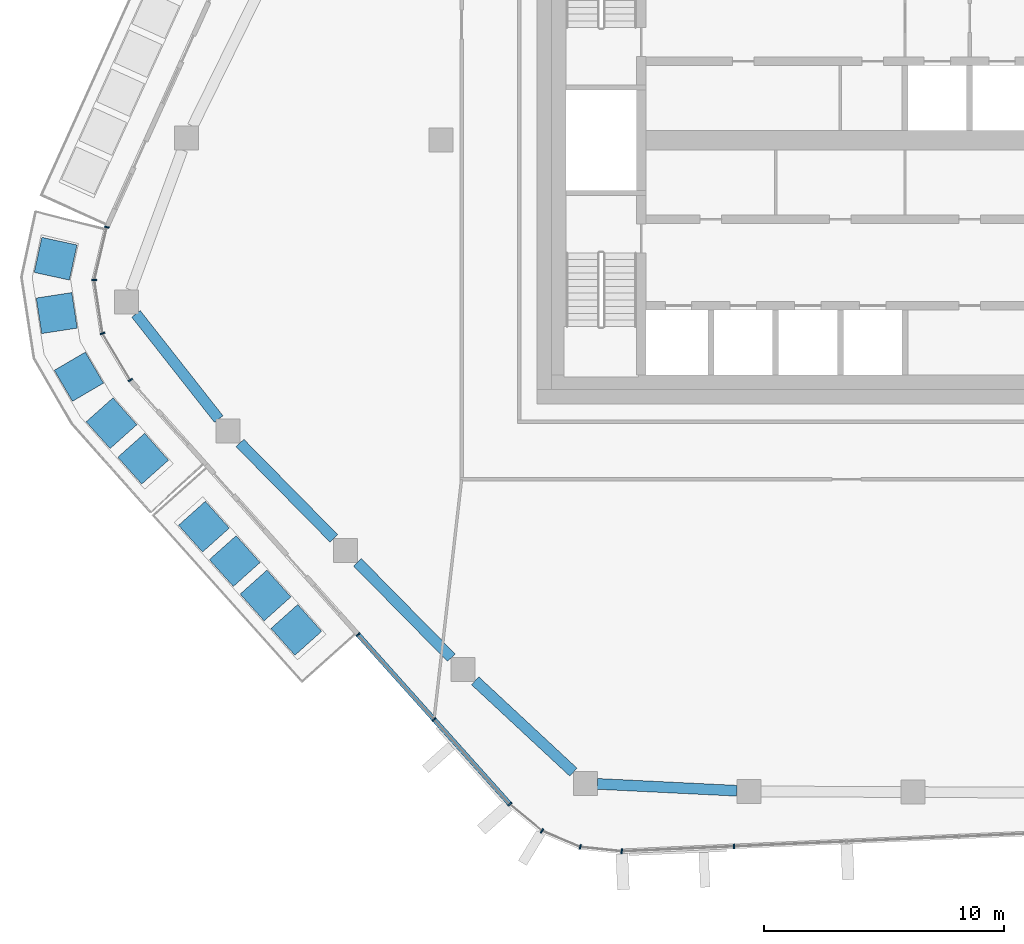
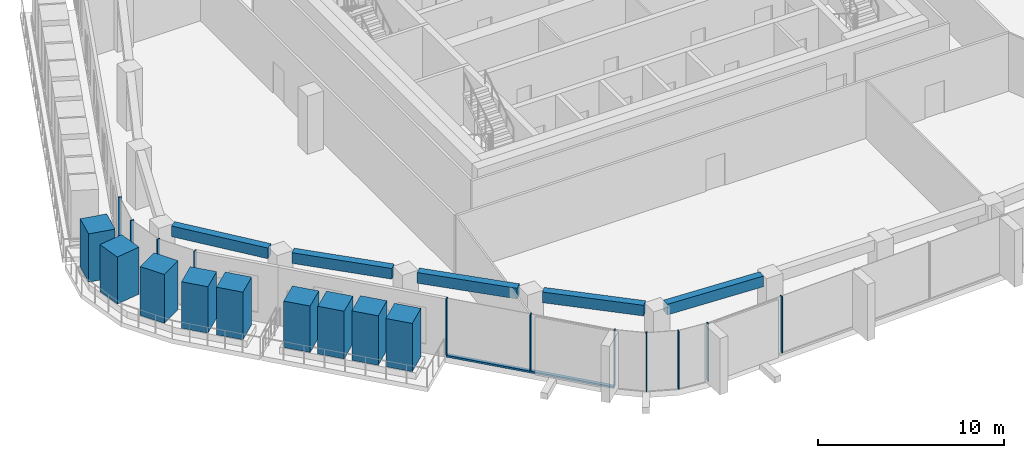
# One storey, part 2 of 23: 21 members, 5 beams, 4 elements without a shape of their own.
"""IFC4 building model written with IfcOpenShell, lengths in metres."""

import ifcopenshell
import ifcopenshell.guid

model = None  # the IFC model being written
_history = None  # IfcOwnerHistory: only IFC2X3 demands one
_inside = {}  # id of a spatial element -> (the spatial element, [elements in it])
_under = {}  # id of a project, library or spatial element -> (it, [spatial elements below it])
_declared = {}  # id of a project -> (the project, [libraries it declares])
_typed = {}  # id of a type object -> (the type object, [elements of that type])
_made_of = {}  # id of a material, layer set ... -> (it, [elements and type objects made of it])


def new_model(schema):
    """Start an empty IFC model of exactly this schema.

    Asked for "IFC4X3", IfcOpenShell would pick the latest addendum, in which some entities
    have other attributes; the version numbers below select the first issue.
    IFC2X3 requires an IfcOwnerHistory on every rooted entity: one is made here for all.
    """
    global model, _history
    if schema == "IFC4X3":
        model = ifcopenshell.file(schema_version=(4, 3, 0, 0))
    else:
        model = ifcopenshell.file(schema=schema)
    _inside.clear()
    _under.clear()
    _declared.clear()
    _typed.clear()
    _made_of.clear()
    _history = None
    if model.schema == "IFC2X3":
        org = make("IfcOrganization", Name="unknown")
        user = make(
            "IfcPersonAndOrganization",
            ThePerson=make("IfcPerson", FamilyName="unknown"),
            TheOrganization=org,
        )
        app = make(
            "IfcApplication",
            ApplicationDeveloper=org,
            Version="unknown",
            ApplicationFullName="unknown",
            ApplicationIdentifier="unknown",
        )
        _history = make(
            "IfcOwnerHistory",
            OwningUser=user,
            OwningApplication=app,
            ChangeAction="ADDED",
            CreationDate=0,
        )
    return model


def make(cls, **values):
    """One entity of the class cls with the attributes given. An attribute that is None is left unset."""
    return model.create_entity(
        cls, **{name: value for name, value in values.items() if value is not None}
    )


def rooted(cls, **values):
    """An entity with a GlobalId (a new one), such as an element, a storey or a relation."""
    return make(cls, GlobalId=ifcopenshell.guid.new(), OwnerHistory=_history, **values)


def si_unit(unit_type, name, prefix=None):
    """IfcSIUnit, for example si_unit("LENGTHUNIT", "METRE", prefix="MILLI")."""
    return make("IfcSIUnit", UnitType=unit_type, Prefix=prefix, Name=name)


def assignment(units):
    """IfcUnitAssignment: the units of a project."""
    return None if units is None else make("IfcUnitAssignment", Units=units)


def point(xyz):
    """IfcCartesianPoint."""
    return None if xyz is None else make("IfcCartesianPoint", Coordinates=xyz)


def direction(xyz):
    """IfcDirection."""
    return None if xyz is None else make("IfcDirection", DirectionRatios=xyz)


def frame(location, z_axis=None, x_axis=None):
    """IfcAxis2Placement3D, a coordinate frame: its origin and axes. An axis left out is left unset."""
    return make(
        "IfcAxis2Placement3D",
        Location=point(location),
        Axis=direction(z_axis),
        RefDirection=direction(x_axis),
    )


def frame_2d(location, x_axis=None):
    """IfcAxis2Placement2D, a coordinate frame in the plane: its origin and x axis."""
    return make(
        "IfcAxis2Placement2D", Location=point(location), RefDirection=direction(x_axis)
    )


def origin():
    """The frame at (0, 0, 0) with its axes left unset."""
    return frame((0.0, 0.0, 0.0))


def origin_2d():
    """The frame at (0, 0) in the plane with its x axis left unset."""
    return frame_2d((0.0, 0.0))


def place(relative_to, where):
    """IfcLocalPlacement: puts the frame where relative to a parent placement (None: the world)."""
    return make(
        "IfcLocalPlacement", PlacementRelTo=relative_to, RelativePlacement=where
    )


def context(
    kind, dimensions, precision=None, world=None, true_north=None, identifier=None
):
    """IfcGeometricRepresentationContext, for example the 3D "Model" context."""
    return make(
        "IfcGeometricRepresentationContext",
        ContextIdentifier=identifier,
        ContextType=kind,
        CoordinateSpaceDimension=dimensions,
        Precision=precision,
        WorldCoordinateSystem=world,
        TrueNorth=true_north,
    )


def subcontext(parent, identifier, kind, view, scale=None):
    """IfcGeometricRepresentationSubContext, for example "Body" below "Model"."""
    return make(
        "IfcGeometricRepresentationSubContext",
        ContextIdentifier=identifier,
        ContextType=kind,
        ParentContext=parent,
        TargetScale=scale,
        TargetView=view,
    )


def project(units=None, contexts=None):
    """IfcProject with its units and contexts."""
    return rooted(
        "IfcProject",
        Name="project",
        RepresentationContexts=contexts,
        UnitsInContext=assignment(units),
    )


def spatial(cls, under=None, at=None, **own):
    """A site, building, storey or space (cls), placed at a placement, below another one or the project."""
    s = rooted(cls, ObjectPlacement=at, **own)
    if under is not None:
        _under.setdefault(under.id(), (under, []))[1].append(s)
    return s


def profile(cls, at=None, kind="AREA", **sizes):
    """A parametric profile (cls). Its sizes go by their IFC names, for example OverallWidth=200.0."""
    return make(cls, ProfileType=kind, Position=at, **sizes)


def rectangle(**sizes):
    """IfcRectangleProfileDef."""
    return profile("IfcRectangleProfileDef", **sizes)


def extrude(swept, where, along, depth):
    """IfcExtrudedAreaSolid: the profile swept, set in the frame where, extruded along a direction by depth."""
    return make(
        "IfcExtrudedAreaSolid",
        SweptArea=swept,
        Position=where,
        ExtrudedDirection=direction(along),
        Depth=depth,
    )


def shape(context_of_items, identifier, shape_type, items):
    """IfcShapeRepresentation: the items that make up one representation, for example the "Body"."""
    return make(
        "IfcShapeRepresentation",
        ContextOfItems=context_of_items,
        RepresentationIdentifier=identifier,
        RepresentationType=shape_type,
        Items=items,
    )


def material(Name=None, Category=None):
    """IfcMaterial."""
    return make("IfcMaterial", Name=Name, Category=Category)


def layer(
    of_material, thickness, ventilated=None, Name=None, Category=None, Priority=None
):
    """IfcMaterialLayer: one layer of a wall or slab, of a material (None: an air gap)."""
    return make(
        "IfcMaterialLayer",
        Material=of_material,
        LayerThickness=thickness,
        IsVentilated=ventilated,
        Name=Name,
        Category=Category,
        Priority=Priority,
    )


def layer_set(layers, Name=None):
    """IfcMaterialLayerSet."""
    return make("IfcMaterialLayerSet", MaterialLayers=layers, LayerSetName=Name)


def material_profile(
    of_material, cross_section, Name=None, Category=None, Priority=None
):
    """IfcMaterialProfile: a cross section and its material."""
    return make(
        "IfcMaterialProfile",
        Name=Name,
        Material=of_material,
        Profile=cross_section,
        Priority=Priority,
        Category=Category,
    )


def profile_set(profiles, Name=None, composite=None):
    """IfcMaterialProfileSet."""
    return make(
        "IfcMaterialProfileSet",
        Name=Name,
        MaterialProfiles=profiles,
        CompositeProfile=composite,
    )


def made_of(thing, what):
    """Note that an element or type object is made of a material, layer set ...; save() writes the relation."""
    if what is not None:
        _made_of.setdefault(what.id(), (what, []))[1].append(thing)
    return thing


def type_object(cls, material=None, **own):
    """A type object (cls), such as IfcWallType, which elements share."""
    return made_of(rooted(cls, **own), material)


def element(
    cls,
    number,
    at=None,
    inside=None,
    cuts=None,
    type_object=None,
    material=None,
    context=None,
    identifier="Body",
    shape_type=None,
    held_by="IfcProductDefinitionShape",
    body=None,
    shapes=None,
    **own,
):
    """One element of the class cls, such as IfcWall. Its Tag is "e" and its number.

    at: its placement. inside: the storey or other place that contains it. cuts: it is an
    opening in that element (IfcRelVoidsElement). A single representation is given by context,
    identifier, shape_type and body (its items); several are given by shapes. held_by: the class
    of the entity that holds the representations. save() writes the other relations.
    """
    e = rooted(cls, Tag="e%d" % number, ObjectPlacement=at, **own)
    if body is not None:
        shapes = [shape(context, identifier, shape_type, body)]
    if shapes is not None:
        e.Representation = make(held_by, Representations=shapes)
    if inside is not None:
        _inside.setdefault(inside.id(), (inside, []))[1].append(e)
    if cuts is not None:
        rooted(
            "IfcRelVoidsElement", RelatingBuildingElement=cuts, RelatedOpeningElement=e
        )
    if type_object is not None:
        _typed.setdefault(type_object.id(), (type_object, []))[1].append(e)
    return made_of(e, material)


def aggregate(whole, parts):
    """IfcRelAggregates: a whole, such as a stair, and the parts it consists of."""
    return rooted("IfcRelAggregates", RelatingObject=whole, RelatedObjects=parts)


def save(model, path):
    """Write the relations noted so far, then the file.

    IfcRelAggregates (storeys below a building ...), IfcRelContainedInSpatialStructure (elements
    in a storey), IfcRelDefinesByType, IfcRelAssociatesMaterial and IfcRelDeclares: one each for
    every whole, place, type object, material and project.
    """
    for whole, parts in _under.values():
        aggregate(whole, parts)
    for where, things in _inside.values():
        rooted(
            "IfcRelContainedInSpatialStructure",
            RelatedElements=things,
            RelatingStructure=where,
        )
    for kind, things in _typed.values():
        rooted("IfcRelDefinesByType", RelatedObjects=things, RelatingType=kind)
    for what, things in _made_of.values():
        rooted("IfcRelAssociatesMaterial", RelatedObjects=things, RelatingMaterial=what)
    for by, libraries in _declared.values():
        rooted("IfcRelDeclares", RelatingContext=by, RelatedDefinitions=libraries)
    model.write(path)


model = new_model("IFC4")

# Units and contexts
model_context = context("Model", 3, precision=1e-05, world=origin(), true_north=direction((0.0, 1.0)))
body_context = subcontext(model_context, "Body", "Model", "MODEL_VIEW")
ifc_project = project(units=[si_unit("LENGTHUNIT", "METRE"), si_unit("AREAUNIT", "SQUARE_METRE"), si_unit("VOLUMEUNIT", "CUBIC_METRE"), si_unit("PLANEANGLEUNIT", "RADIAN"), si_unit("MASSUNIT", "GRAM", prefix="KILO")], contexts=[model_context])

# Site, building, storey
site_placement = place(None, origin())
site = spatial("IfcSite", under=ifc_project, at=site_placement, CompositionType="ELEMENT")
building_placement = place(site_placement, origin())
building = spatial("IfcBuilding", under=site, at=building_placement, Name="Dongbaek Canopy Tower", CompositionType="ELEMENT")
storey_placement = place(building_placement, frame((0.0, 0.0, 323.60009765625)))
storey = spatial("IfcBuildingStorey", under=building, at=storey_placement, Name="L69", CompositionType="ELEMENT", Elevation=323.60009765625)

# Curtain wall, members
ifc_material_1 = material(Name="Aluminium 6063-T6 pale anodised", Category="aluminium")
ifc_layer = layer(ifc_material_1, 0.199951171875)
ifc_layer_set = layer_set([ifc_layer], Name="CW-1 unitised tower curtain wall")
curtain_wall_type = type_object("IfcCurtainWallType", Name="CW-1 unitised tower curtain wall", PredefinedType="NOTDEFINED", material=ifc_layer_set)
curtain_wall_1_placement = place(storey_placement, origin())
curtain_wall_1 = element("IfcCurtainWall", 1, at=curtain_wall_1_placement, inside=storey, type_object=curtain_wall_type, Name="CW-1 curtain wall K3.1", PredefinedType="NOTDEFINED")
ifc_material_2 = material(Name="Aluminium 6063-T6 pale anodised", Category="aluminium")
ifc_material_profile_1 = material_profile(ifc_material_2, rectangle(XDim=0.199951171875, YDim=0.06005859375, at=origin_2d()), Name="CW-1 mullion 60 x 200")
ifc_profile_set_1 = profile_set([ifc_material_profile_1], Name="Aluminium 6063-T6 pale anodised")
member_type_1 = type_object("IfcMemberType", Name="CW-1 mullion 60 x 200", PredefinedType="MULLION", material=ifc_profile_set_1)
member_1_placement = place(storey_placement, frame((-31.9521484375, -3.625244140625, 0.0), z_axis=(0.0, 0.0, 1.0), x_axis=(-0.973135778098, 0.2302319643, 0.0)))
member_1 = element("IfcMember", 2, at=member_1_placement, type_object=member_type_1, Name="CW-1 mullion K3.1.1", PredefinedType="MULLION", context=body_context, shape_type="SweptSolid", body=[
    extrude(rectangle(XDim=0.199951171875, YDim=0.06005859375, at=origin_2d()), origin(), (0.0, 0.0, 1.0), 3.81982421875),
])
member_2_placement = place(storey_placement, frame((-32.473876953125, -5.83056640625, 0.0), z_axis=(0.0, 0.0, 1.0), x_axis=(-0.999206093675, 0.039839457356, 0.0)))
member_2 = element("IfcMember", 3, at=member_2_placement, type_object=member_type_1, Name="CW-1 mullion K3.1.2", PredefinedType="MULLION", context=body_context, shape_type="SweptSolid", body=[
    extrude(rectangle(XDim=0.199951171875, YDim=0.06005859375, at=origin_2d()), origin(), (0.0, 0.0, 1.0), 3.81982421875),
])
member_3_placement = place(storey_placement, frame((-32.130859375, -8.060791015625, 0.0), z_axis=(0.0, 0.0, 1.0), x_axis=(-0.941047691225, -0.338273916878, 0.0)))
member_3 = element("IfcMember", 4, at=member_3_placement, type_object=member_type_1, Name="CW-1 mullion K3.1.3", PredefinedType="MULLION", context=body_context, shape_type="SweptSolid", body=[
    extrude(rectangle(XDim=0.199951171875, YDim=0.06005859375, at=origin_2d()), origin(), (0.0, 0.0, 1.0), 3.81982421875),
])
member_4_placement = place(storey_placement, frame((-30.970458984375, -10.00732421875, 0.0), z_axis=(0.0, 0.0, 1.0), x_axis=(-0.858966702987, -0.512031447433, 0.0)))
member_4 = element("IfcMember", 5, at=member_4_placement, type_object=member_type_1, Name="CW-1 mullion K3.1.4", PredefinedType="MULLION", context=body_context, shape_type="SweptSolid", body=[
    extrude(rectangle(XDim=0.199951171875, YDim=0.06005859375, at=origin_2d()), origin(), (0.0, 0.0, 1.0), 3.81982421875),
])
aggregate(curtain_wall_1, [member_1, member_2, member_3, member_4])

curtain_wall_2_placement = place(storey_placement, origin())
curtain_wall_2 = element("IfcCurtainWall", 6, at=curtain_wall_2_placement, inside=storey, type_object=curtain_wall_type, Name="CW-1 curtain wall F3.1", PredefinedType="NOTDEFINED")
member_5_placement = place(storey_placement, frame((-21.468017578125, -20.625244140625, 0.119873046875), z_axis=(0.0, 0.0, 1.0), x_axis=(-0.745164960814, -0.666880185022, 0.0)))
member_5 = element("IfcMember", 7, at=member_5_placement, type_object=member_type_1, Name="CW-1 mullion F3.1.1", PredefinedType="MULLION", context=body_context, shape_type="SweptSolid", body=[
    extrude(rectangle(XDim=0.199951171875, YDim=0.06005859375, at=origin_2d()), origin(), (0.0, 0.0, 1.0), 3.699951171875),
])
member_6_placement = place(storey_placement, frame((-18.29833984375, -24.1669921875, 0.119873046875), z_axis=(0.0, 0.0, 1.0), x_axis=(-0.745164960814, -0.666880185022, 0.0)))
member_6 = element("IfcMember", 8, at=member_6_placement, type_object=member_type_1, Name="CW-1 mullion F3.1.2", PredefinedType="MULLION", context=body_context, shape_type="SweptSolid", body=[
    extrude(rectangle(XDim=0.199951171875, YDim=0.06005859375, at=origin_2d()), origin(), (0.0, 0.0, 1.0), 3.699951171875),
])
member_7_placement = place(storey_placement, frame((-15.1337890625, -27.703125, 0.119873046875), z_axis=(0.0, 0.0, 1.0), x_axis=(-0.745164960814, -0.666880185022, 0.0)))
member_7 = element("IfcMember", 9, at=member_7_placement, type_object=member_type_1, Name="CW-1 mullion F3.1.3", PredefinedType="MULLION", context=body_context, shape_type="SweptSolid", body=[
    extrude(rectangle(XDim=0.199951171875, YDim=0.06005859375, at=origin_2d()), origin(), (0.0, 0.0, 1.0), 3.699951171875),
])

curtain_wall_3_placement = place(storey_placement, origin())
curtain_wall_3 = element("IfcCurtainWall", 10, at=curtain_wall_3_placement, inside=storey, type_object=curtain_wall_type, Name="CW-1 curtain wall K4.1", PredefinedType="NOTDEFINED")
member_8_placement = place(storey_placement, frame((-13.79541015625, -28.8154296875, 0.0), z_axis=(0.0, 0.0, 1.0), x_axis=(-0.519266943257, -0.854612100102, 0.0)))
member_8 = element("IfcMember", 11, at=member_8_placement, type_object=member_type_1, Name="CW-1 mullion K4.1.2", PredefinedType="MULLION", context=body_context, shape_type="SweptSolid", body=[
    extrude(rectangle(XDim=0.199951171875, YDim=0.06005859375, at=origin_2d()), origin(), (0.0, 0.0, 1.0), 3.81982421875),
])
member_9_placement = place(storey_placement, frame((-12.198486328125, -29.48779296875, 0.0), z_axis=(0.0, 0.0, 1.0), x_axis=(-0.248570111979, -0.968613906276, 0.0)))
member_9 = element("IfcMember", 12, at=member_9_placement, type_object=member_type_1, Name="CW-1 mullion K4.1.3", PredefinedType="MULLION", context=body_context, shape_type="SweptSolid", body=[
    extrude(rectangle(XDim=0.199951171875, YDim=0.06005859375, at=origin_2d()), origin(), (0.0, 0.0, 1.0), 3.81982421875),
])
member_10_placement = place(storey_placement, frame((-10.4677734375, -29.668212890625, 0.0), z_axis=(0.0, 0.0, 1.0), x_axis=(-0.103622803641, -0.994616667146, 0.0)))
member_10 = element("IfcMember", 13, at=member_10_placement, type_object=member_type_1, Name="CW-1 mullion K4.1.4", PredefinedType="MULLION", context=body_context, shape_type="SweptSolid", body=[
    extrude(rectangle(XDim=0.199951171875, YDim=0.06005859375, at=origin_2d()), origin(), (0.0, 0.0, 1.0), 3.81982421875),
])
aggregate(curtain_wall_3, [member_8, member_9, member_10])

# Curtain wall, member
curtain_wall_4_placement = place(storey_placement, origin())
curtain_wall_4 = element("IfcCurtainWall", 14, at=curtain_wall_4_placement, inside=storey, type_object=curtain_wall_type, Name="CW-1 curtain wall F4.1", PredefinedType="NOTDEFINED")
member_11_placement = place(storey_placement, frame((-5.780517578125, -29.4638671875, 0.119873046875), z_axis=(0.0, 0.0, 1.0), x_axis=(0.04357165489, -0.999050304484, 0.0)))
member_11 = element("IfcMember", 15, at=member_11_placement, type_object=member_type_1, Name="CW-1 mullion F4.1.2", PredefinedType="MULLION", context=body_context, shape_type="SweptSolid", body=[
    extrude(rectangle(XDim=0.199951171875, YDim=0.06005859375, at=origin_2d()), origin(), (0.0, 0.0, 1.0), 3.699951171875),
])
aggregate(curtain_wall_4, [member_11])

# Member
ifc_material_3 = material(Name="Aluminium 6063-T6 pale anodised", Category="aluminium")
ifc_material_profile_2 = material_profile(ifc_material_3, rectangle(XDim=0.199951171875, YDim=0.1201171875, at=origin_2d()), Name="CW-1 transom 120 x 200")
ifc_profile_set_2 = profile_set([ifc_material_profile_2], Name="Aluminium 6063-T6 pale anodised")
member_type_2 = type_object("IfcMemberType", Name="CW-1 transom 120 x 200", PredefinedType="USERDEFINED", material=ifc_profile_set_2)
member_12_placement = place(storey_placement, frame((-21.468017578125, -20.625244140625, 0.059814453125), z_axis=(0.66687599933, -0.745168706748, 0.0), x_axis=(0.745168706748, 0.66687599933, 0.0)))
member_12 = element("IfcMember", 16, at=member_12_placement, type_object=member_type_2, Name="CW-1 transom F3.1.1", ObjectType="TRANSOM", PredefinedType="USERDEFINED", context=body_context, shape_type="SweptSolid", body=[
    extrude(rectangle(XDim=0.199951171875, YDim=0.1201171875, at=origin_2d()), origin(), (0.0, 0.0, 1.0), 9.498291015625),
])

aggregate(curtain_wall_2, [member_5, member_6, member_7, member_12])

# Beams
ifc_material_4 = material(Name="Concrete C60", Category="concrete")
ifc_material_profile_3 = material_profile(ifc_material_4, rectangle(XDim=0.449951171875, YDim=0.699951171875, at=origin_2d()), Name="RC EDGE BEAM 450x700 C60")
ifc_profile_set_3 = profile_set([ifc_material_profile_3], Name="Concrete C60")
beam_type = type_object("IfcBeamType", Name="RC EDGE BEAM 450x700 C60", PredefinedType="BEAM", material=ifc_profile_set_3)
beam_1_placement = place(storey_placement, frame((-5.666015625, -27.142333984375, 3.469970703125), z_axis=(-0.998789160621, 0.049195656579, 0.0), x_axis=(-0.049195656579, -0.998789160621, 0.0)))
element("IfcBeam", 17, at=beam_1_placement, inside=storey, type_object=beam_type, Name="EDGEBEAM:L69:03", PredefinedType="BEAM", context=body_context, shape_type="SweptSolid", body=[
    extrude(rectangle(XDim=0.449951171875, YDim=0.699951171875, at=origin_2d()), origin(), (0.0, 0.0, 1.0), 5.826171875),
])
beam_2_placement = place(storey_placement, frame((-12.485107421875, -26.365966796875, 3.469970703125), z_axis=(-0.732266655485, 0.681018021248, 0.0), x_axis=(-0.681018021248, -0.732266655485, 0.0)))
element("IfcBeam", 18, at=beam_2_placement, inside=storey, type_object=beam_type, Name="EDGEBEAM:L69:04", PredefinedType="BEAM", context=body_context, shape_type="SweptSolid", body=[
    extrude(rectangle(XDim=0.449951171875, YDim=0.699951171875, at=origin_2d()), origin(), (0.0, 0.0, 1.0), 5.597412109375),
])
beam_3_placement = place(storey_placement, frame((-17.576416015625, -21.589111328125, 3.469970703125), z_axis=(-0.701706740597, 0.712465894062, 0.0), x_axis=(-0.712465894062, -0.701706740597, 0.0)))
element("IfcBeam", 19, at=beam_3_placement, inside=storey, type_object=beam_type, Name="EDGEBEAM:L69:05", PredefinedType="BEAM", context=body_context, shape_type="SweptSolid", body=[
    extrude(rectangle(XDim=0.449951171875, YDim=0.699951171875, at=origin_2d()), origin(), (0.0, 0.0, 1.0), 5.58203125),
])
beam_4_placement = place(storey_placement, frame((-22.478515625, -16.612060546875, 3.469970703125), z_axis=(-0.701708081315, 0.712464573588, 0.0), x_axis=(-0.712464573588, -0.701708081315, 0.0)))
element("IfcBeam", 20, at=beam_4_placement, inside=storey, type_object=beam_type, Name="EDGEBEAM:L69:06", PredefinedType="BEAM", context=body_context, shape_type="SweptSolid", body=[
    extrude(rectangle(XDim=0.449951171875, YDim=0.699951171875, at=origin_2d()), origin(), (0.0, 0.0, 1.0), 5.58349609375),
])
beam_5_placement = place(storey_placement, frame((-27.282470703125, -11.634033203125, 3.469970703125), z_axis=(-0.618340786972, 0.78591009102, 0.0), x_axis=(-0.78591009102, -0.618340786972, 0.0)))
element("IfcBeam", 21, at=beam_5_placement, inside=storey, type_object=beam_type, Name="EDGEBEAM:L69:07", PredefinedType="BEAM", context=body_context, shape_type="SweptSolid", body=[
    extrude(rectangle(XDim=0.449951171875, YDim=0.699951171875, at=origin_2d()), origin(), (0.0, 0.0, 1.0), 5.58447265625),
])

# Members
ifc_material_5 = material(Name="Concrete C40/50 planter mass with planting", Category="concrete")
ifc_material_profile_4 = material_profile(ifc_material_5, rectangle(XDim=1.5, YDim=1.5, at=origin_2d()), Name="Terrace PLANTER shrub mass 1500 x 1500")
ifc_profile_set_4 = profile_set([ifc_material_profile_4], Name="Concrete C40/50 planter mass with planting")
member_type_3 = type_object("IfcMemberType", Name="Terrace PLANTER shrub mass 1500 x 1500", PredefinedType="USERDEFINED", material=ifc_profile_set_4)
member_13_placement = place(storey_placement, frame((-27.8984375, -16.1240234375, 0.419921875), z_axis=(0.0, 0.0, 1.0), x_axis=(-0.745164960814, -0.666880185022, 0.0)))
element("IfcMember", 22, at=member_13_placement, inside=storey, type_object=member_type_3, Name="Planter shrubs L69 3.1", ObjectType="PLANTER", PredefinedType="USERDEFINED", context=body_context, shape_type="SweptSolid", body=[
    extrude(rectangle(XDim=1.5, YDim=1.5, at=origin_2d()), origin(), (0.0, 0.0, 1.0), 3.050048828125),
])
member_14_placement = place(storey_placement, frame((-26.61376953125, -17.5595703125, 0.419921875), z_axis=(0.0, 0.0, 1.0), x_axis=(-0.745164960814, -0.666880185022, 0.0)))
element("IfcMember", 23, at=member_14_placement, inside=storey, type_object=member_type_3, Name="Planter shrubs L69 3.2", ObjectType="PLANTER", PredefinedType="USERDEFINED", context=body_context, shape_type="SweptSolid", body=[
    extrude(rectangle(XDim=1.5, YDim=1.5, at=origin_2d()), origin(), (0.0, 0.0, 1.0), 3.1298828125),
])
member_15_placement = place(storey_placement, frame((-25.3291015625, -18.9951171875, 0.419921875), z_axis=(0.0, 0.0, 1.0), x_axis=(-0.745164960814, -0.666880185022, 0.0)))
element("IfcMember", 24, at=member_15_placement, inside=storey, type_object=member_type_3, Name="Planter shrubs L69 3.3", ObjectType="PLANTER", PredefinedType="USERDEFINED", context=body_context, shape_type="SweptSolid", body=[
    extrude(rectangle(XDim=1.5, YDim=1.5, at=origin_2d()), origin(), (0.0, 0.0, 1.0), 3.25),
])
for number, where, z_axis, x_axis, name in (
    (25, (-24.04443359375, -20.4306640625, 0.419921875), (0.0, 0.0, 1.0), (-0.745164960814, -0.666880185022, 0.0), "Planter shrubs L69 3.4"),
    (26, (-34.08740234375, -4.94384765625, 0.419921875), (0.0, 0.0, 1.0), (-0.977270479561, 0.211996249443, 0.0), "Planter shrubs L69 6.1"),
):
    element("IfcMember", number, at=place(storey_placement, frame(where, z_axis=z_axis, x_axis=x_axis)), inside=storey, type_object=member_type_3, Name=name, ObjectType="PLANTER", PredefinedType="USERDEFINED", context=body_context, shape_type="SweptSolid", body=[
        extrude(rectangle(XDim=1.5, YDim=1.5, at=origin_2d()), origin(), (0.0, 0.0, 1.0), 3.169921875),
    ])
member_16_placement = place(storey_placement, frame((-34.040771484375, -7.213134765625, 0.419921875), z_axis=(0.0, 0.0, 1.0), x_axis=(-0.988376759336, -0.152024279653, 0.0)))
element("IfcMember", 27, at=member_16_placement, inside=storey, type_object=member_type_3, Name="Planter shrubs L69 6.2", ObjectType="PLANTER", PredefinedType="USERDEFINED", context=body_context, shape_type="SweptSolid", body=[
    extrude(rectangle(XDim=1.5, YDim=1.5, at=origin_2d()), origin(), (0.0, 0.0, 1.0), 3.090087890625),
])
member_17_placement = place(storey_placement, frame((-33.115234375, -9.867431640625, 0.419921875), z_axis=(0.0, 0.0, 1.0), x_axis=(-0.863241885655, -0.50479049798, 0.0)))
element("IfcMember", 28, at=member_17_placement, inside=storey, type_object=member_type_3, Name="Planter shrubs L69 6.3", ObjectType="PLANTER", PredefinedType="USERDEFINED", context=body_context, shape_type="SweptSolid", body=[
    extrude(rectangle(XDim=1.5, YDim=1.5, at=origin_2d()), origin(), (0.0, 0.0, 1.0), 3.2099609375),
])
member_18_placement = place(storey_placement, frame((-31.753662109375, -11.8076171875, 0.419921875), z_axis=(0.0, 0.0, 1.0), x_axis=(-0.746478558411, -0.665409469299, 0.0)))
element("IfcMember", 29, at=member_18_placement, inside=storey, type_object=member_type_3, Name="Planter shrubs L69 6.4", ObjectType="PLANTER", PredefinedType="USERDEFINED", context=body_context, shape_type="SweptSolid", body=[
    extrude(rectangle(XDim=1.5, YDim=1.5, at=origin_2d()), origin(), (0.0, 0.0, 1.0), 3.050048828125),
])
member_19_placement = place(storey_placement, frame((-30.434326171875, -13.28759765625, 0.419921875), z_axis=(0.0, 0.0, 1.0), x_axis=(-0.746478558411, -0.665409469299, 0.0)))
element("IfcMember", 30, at=member_19_placement, inside=storey, type_object=member_type_3, Name="Planter shrubs L69 6.5", ObjectType="PLANTER", PredefinedType="USERDEFINED", context=body_context, shape_type="SweptSolid", body=[
    extrude(rectangle(XDim=1.5, YDim=1.5, at=origin_2d()), origin(), (0.0, 0.0, 1.0), 3.1298828125),
])

save(model, "model.ifc")
